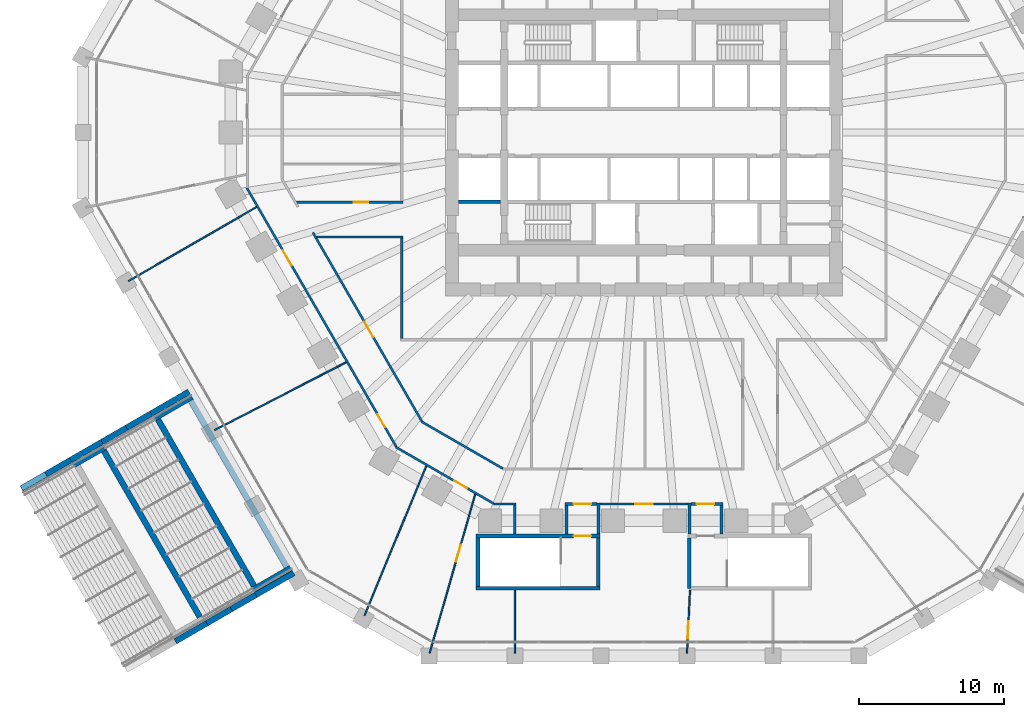
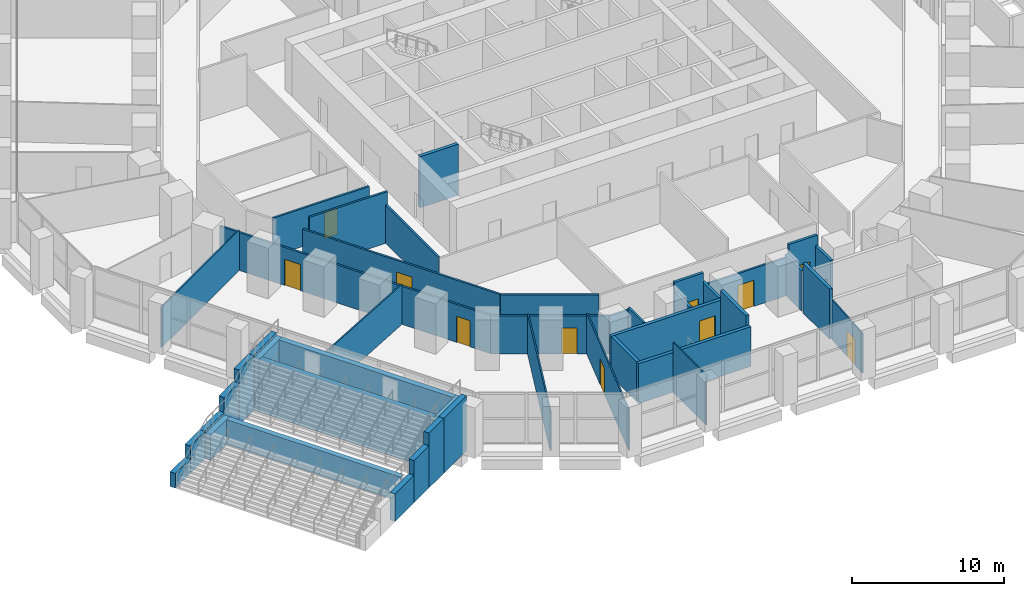
# One storey, part 19 of 38: 44 walls, 11 doors, 11 openings.
"""IFC4 building model written with IfcOpenShell, lengths in metres."""

from ifc_helpers import new_model, si_unit, direction, frame, frame_2d, origin, place, context, subcontext, project, spatial, rectangle, extrude, material, layer, layer_set, type_object, element, fill, save


model = new_model("IFC4")

# Units and contexts
model_context = context("Model", 3, precision=1e-05, world=origin(), true_north=direction((0.0, 1.0)))
body_context = subcontext(model_context, "Body", "Model", "MODEL_VIEW")
ifc_project = project(units=[si_unit("LENGTHUNIT", "METRE"), si_unit("AREAUNIT", "SQUARE_METRE"), si_unit("VOLUMEUNIT", "CUBIC_METRE"), si_unit("PLANEANGLEUNIT", "RADIAN"), si_unit("MASSUNIT", "GRAM", prefix="KILO")], contexts=[model_context])

# Site, building, storey
site_placement = place(None, origin())
site = spatial("IfcSite", under=ifc_project, at=site_placement, CompositionType="ELEMENT")
building_placement = place(site_placement, origin())
building = spatial("IfcBuilding", under=site, at=building_placement, Name="Frailejon Research Tower", CompositionType="ELEMENT")
storey_placement = place(building_placement, frame((0.0, 0.0, 10.199951171875)))
storey = spatial("IfcBuildingStorey", under=building, at=storey_placement, Name="L02", CompositionType="ELEMENT", Elevation=10.199951171875)

# Wall
ifc_material_1 = material(Name="Gypsum board and masonry partition", Category="masonry")
ifc_layer_1 = layer(ifc_material_1, 0.14990234375)
ifc_layer_set_1 = layer_set([ifc_layer_1], Name="Corridor wall EI 60, gypsum on steel studs 150")
wall_type_1 = type_object("IfcWallType", Name="Corridor wall EI 60, gypsum on steel studs 150", PredefinedType="PARTITIONING", material=ifc_layer_set_1)
wall_1_placement = place(storey_placement, frame((-8.870849609375, -27.625, 0.0), z_axis=(0.0, 0.0, 1.0), x_axis=(0.0, 1.0, 0.0)))
element("IfcWall", 1, at=wall_1_placement, inside=storey, type_object=wall_type_1, Name="T:IW:L02:018", PredefinedType="PARTITIONING", context=body_context, shape_type="SweptSolid", body=[
    extrude(rectangle(XDim=2.0, YDim=0.14990234375, at=frame_2d((1.0, 0.0))), origin(), (0.0, 0.0, 1.0), 3.25),
])

# Wall, opening, door
wall_2_placement = place(storey_placement, frame((-22.75341796875, -6.889892578125, 0.0), z_axis=(0.0, 0.0, 1.0), x_axis=(0.499997859304, -0.866026639712, 0.0)))
wall_2 = element("IfcWall", 2, at=wall_2_placement, inside=storey, type_object=wall_type_1, Name="T:IW:L02:026", PredefinedType="PARTITIONING", context=body_context, shape_type="SweptSolid", body=[
    extrude(rectangle(XDim=14.96337890625, YDim=0.14990234375, at=frame_2d((7.481689453125, 0.0))), origin(), (0.0, 0.0, 1.0), 3.050048828125),
])
opening_1_placement = place(wall_2_placement, frame((7.09814453125, 0.0, 0.0)))
opening_1 = element("IfcOpeningElement", 3, at=opening_1_placement, cuts=wall_2, Name="Opening D1084", PredefinedType="OPENING", context=body_context, shape_type="SweptSolid", body=[
    extrude(rectangle(XDim=1.199951171875, YDim=2.10009765625, at=frame_2d((0.60009765625, 1.050048828125))), frame((0.0, 0.0849609375, 0.0), z_axis=(0.0, -1.0, 0.0), x_axis=(1.0, 0.0, 0.0)), (0.0, 0.0, 1.0), 0.169921875),
])
ifc_material_2 = material(Name="Timber door leaf", Category="wood")
door_type_1 = type_object("IfcDoorType", Name="Door laboratory, timber, vision panel 1200", OperationType="NOTDEFINED", PredefinedType="DOOR", material=ifc_material_2)
door_1_placement = place(opening_1_placement, origin())
door_1 = element("IfcDoor", 4, at=door_1_placement, inside=storey, type_object=door_type_1, Name="D1084", OperationType="DOUBLE_DOOR_SINGLE_SWING", OverallHeight=2.10009765625, OverallWidth=1.199951171875, PredefinedType="DOOR", context=body_context, shape_type="SweptSolid", body=[
    extrude(rectangle(XDim=1.199951171875, YDim=2.10009765625, at=frame_2d((0.60009765625, 1.050048828125))), frame((0.0, 0.02490234375, 0.0), z_axis=(0.0, -1.0, 0.0), x_axis=(1.0, 0.0, 0.0)), (0.0, 0.0, 1.0), 0.050048828125),
])
fill(opening_1, door_1)

# Wall, openings, doors
wall_3_placement = place(storey_placement, frame((-27.30029296875, -3.814453125, 0.0), z_axis=(0.0, 0.0, 1.0), x_axis=(0.499997805905, -0.866026670542, 0.0)))
wall_3 = element("IfcWall", 5, at=wall_3_placement, inside=storey, type_object=wall_type_1, Name="T:IW:L02:027", PredefinedType="PARTITIONING", context=body_context, shape_type="SweptSolid", body=[
    extrude(rectangle(XDim=20.54345703125, YDim=0.14990234375, at=frame_2d((10.271728515625, 0.0))), origin(), (0.0, 0.0, 1.0), 3.050048828125),
])
opening_2_placement = place(wall_3_placement, frame((4.954345703125, 0.0, 0.0)))
opening_2 = element("IfcOpeningElement", 6, at=opening_2_placement, cuts=wall_3, Name="Opening D1082", PredefinedType="OPENING", context=body_context, shape_type="SweptSolid", body=[
    extrude(rectangle(XDim=1.199951171875, YDim=2.10009765625, at=frame_2d((0.60009765625, 1.050048828125))), frame((0.0, 0.0849609375, 0.0), z_axis=(0.0, -1.0, 0.0), x_axis=(1.0, 0.0, 0.0)), (0.0, 0.0, 1.0), 0.169921875),
])
opening_3_placement = place(wall_3_placement, frame((17.98974609375, 0.0, 0.0)))
opening_3 = element("IfcOpeningElement", 7, at=opening_3_placement, cuts=wall_3, Name="Opening D1083", PredefinedType="OPENING", context=body_context, shape_type="SweptSolid", body=[
    extrude(rectangle(XDim=1.0, YDim=2.10009765625, at=frame_2d((0.5, 1.050048828125))), frame((0.0, 0.0849609375, 0.0), z_axis=(0.0, -1.0, 0.0), x_axis=(1.0, 0.0, 0.0)), (0.0, 0.0, 1.0), 0.169921875),
])
ifc_material_3 = material(Name="Timber door leaf", Category="wood")
door_type_2 = type_object("IfcDoorType", Name="Door single leaf, timber, steel frame 1000", OperationType="NOTDEFINED", PredefinedType="DOOR", material=ifc_material_3)
door_2_placement = place(opening_3_placement, origin())
door_2 = element("IfcDoor", 8, at=door_2_placement, inside=storey, type_object=door_type_2, Name="D1083", OperationType="SINGLE_SWING_RIGHT", OverallHeight=2.10009765625, OverallWidth=1.0, PredefinedType="DOOR", context=body_context, shape_type="SweptSolid", body=[
    extrude(rectangle(XDim=1.0, YDim=2.10009765625, at=frame_2d((0.5, 1.050048828125))), frame((0.0, 0.02490234375, 0.0), z_axis=(0.0, -1.0, 0.0), x_axis=(1.0, 0.0, 0.0)), (0.0, 0.0, 1.0), 0.050048828125),
])
fill(opening_3, door_2)
ifc_material_4 = material(Name="Timber door leaf", Category="wood")
door_type_3 = type_object("IfcDoorType", Name="Door single leaf, timber, steel frame 1200", OperationType="NOTDEFINED", PredefinedType="DOOR", material=ifc_material_4)
door_3_placement = place(opening_2_placement, origin())
door_3 = element("IfcDoor", 9, at=door_3_placement, inside=storey, type_object=door_type_3, Name="D1082", OperationType="DOUBLE_DOOR_SINGLE_SWING", OverallHeight=2.10009765625, OverallWidth=1.199951171875, PredefinedType="DOOR", context=body_context, shape_type="SweptSolid", body=[
    extrude(rectangle(XDim=1.199951171875, YDim=2.10009765625, at=frame_2d((0.60009765625, 1.050048828125))), frame((0.0, 0.02490234375, 0.0), z_axis=(0.0, -1.0, 0.0), x_axis=(1.0, 0.0, 0.0)), (0.0, 0.0, 1.0), 0.050048828125),
])
fill(opening_2, door_3)

# Wall, opening, door
wall_4_placement = place(storey_placement, frame((-17.055908203125, -21.633056640625, 0.0), z_axis=(0.0, 0.0, 1.0), x_axis=(0.866023143435, -0.50000391502, 0.0)))
wall_4 = element("IfcWall", 10, at=wall_4_placement, inside=storey, type_object=wall_type_1, Name="T:IW:L02:028", PredefinedType="PARTITIONING", context=body_context, shape_type="SweptSolid", body=[
    extrude(rectangle(XDim=7.7587890625, YDim=0.14990234375, at=frame_2d((3.87939453125, 0.0))), origin(), (0.0, 0.0, 1.0), 3.050048828125),
])
opening_4_placement = place(wall_4_placement, frame((4.656982421875, 0.0, 0.0)))
opening_4 = element("IfcOpeningElement", 11, at=opening_4_placement, cuts=wall_4, Name="Opening D1085", PredefinedType="OPENING", context=body_context, shape_type="SweptSolid", body=[
    extrude(rectangle(XDim=1.0, YDim=2.10009765625, at=frame_2d((0.5, 1.050048828125))), frame((0.0, 0.0849609375, 0.0), z_axis=(0.0, -1.0, 0.0), x_axis=(1.0, 0.0, 0.0)), (0.0, 0.0, 1.0), 0.169921875),
])
door_4_placement = place(opening_4_placement, origin())
door_4 = element("IfcDoor", 12, at=door_4_placement, inside=storey, type_object=door_type_2, Name="D1085", OperationType="SINGLE_SWING_RIGHT", OverallHeight=2.10009765625, OverallWidth=1.0, PredefinedType="DOOR", context=body_context, shape_type="SweptSolid", body=[
    extrude(rectangle(XDim=1.0, YDim=2.10009765625, at=frame_2d((0.5, 1.050048828125))), frame((0.0, 0.02490234375, 0.0), z_axis=(0.0, -1.0, 0.0), x_axis=(1.0, 0.0, 0.0)), (0.0, 0.0, 1.0), 0.050048828125),
])
fill(opening_4, door_4)

# Walls
wall_5_placement = place(storey_placement, frame((-15.299072265625, -19.876220703125, 0.0), z_axis=(0.0, 0.0, 1.0), x_axis=(0.866024786089, -0.500001069878, 0.0)))
element("IfcWall", 13, at=wall_5_placement, inside=storey, type_object=wall_type_1, Name="T:IW:L02:029", PredefinedType="PARTITIONING", context=body_context, shape_type="SweptSolid", body=[
    extrude(rectangle(XDim=6.47265625, YDim=0.14990234375, at=frame_2d((3.236328125, 0.0))), origin(), (0.0, 0.0, 1.0), 3.050048828125),
])
wall_6_placement = place(storey_placement, frame((-10.3466796875, -25.550048828125, 0.0), z_axis=(0.0, 0.0, 1.0), x_axis=(1.0, 0.0, 0.0)))
element("IfcWall", 14, at=wall_6_placement, inside=storey, type_object=wall_type_1, Name="T:IW:L02:031", PredefinedType="PARTITIONING", context=body_context, shape_type="SweptSolid", body=[
    extrude(rectangle(XDim=1.55078125, YDim=0.14990234375, at=frame_2d((0.775390625, 0.0))), origin(), (0.0, 0.0, 1.0), 3.050048828125),
])

# Wall, opening, door
wall_7_placement = place(storey_placement, frame((-3.031982421875, -25.550048828125, 0.0), z_axis=(0.0, 0.0, 1.0), x_axis=(1.0, 0.0, 0.0)))
wall_7 = element("IfcWall", 15, at=wall_7_placement, inside=storey, type_object=wall_type_1, Name="T:IW:L02:032", PredefinedType="PARTITIONING", context=body_context, shape_type="SweptSolid", body=[
    extrude(rectangle(XDim=6.06396484375, YDim=0.14990234375, at=frame_2d((3.031982421875, 0.0))), origin(), (0.0, 0.0, 1.0), 3.050048828125),
])
opening_5_placement = place(wall_7_placement, frame((2.431884765625, 0.0, 0.0)))
opening_5 = element("IfcOpeningElement", 16, at=opening_5_placement, cuts=wall_7, Name="Opening D1088", PredefinedType="OPENING", context=body_context, shape_type="SweptSolid", body=[
    extrude(rectangle(XDim=1.199951171875, YDim=2.10009765625, at=frame_2d((0.60009765625, 1.050048828125))), frame((0.0, 0.0849609375, 0.0), z_axis=(0.0, -1.0, 0.0), x_axis=(1.0, 0.0, 0.0)), (0.0, 0.0, 1.0), 0.169921875),
])
door_5_placement = place(opening_5_placement, origin())
door_5 = element("IfcDoor", 17, at=door_5_placement, inside=storey, type_object=door_type_3, Name="D1088", OperationType="DOUBLE_DOOR_SINGLE_SWING", OverallHeight=2.10009765625, OverallWidth=1.199951171875, PredefinedType="DOOR", context=body_context, shape_type="SweptSolid", body=[
    extrude(rectangle(XDim=1.199951171875, YDim=2.10009765625, at=frame_2d((0.60009765625, 1.050048828125))), frame((0.0, 0.02490234375, 0.0), z_axis=(0.0, -1.0, 0.0), x_axis=(1.0, 0.0, 0.0)), (0.0, 0.0, 1.0), 0.050048828125),
])
fill(opening_5, door_5)

# Wall
wall_8_placement = place(storey_placement, frame((-16.64990234375, -14.175048828125, 0.0), z_axis=(0.0, 0.0, 1.0), x_axis=(0.0, 1.0, 0.0)))
element("IfcWall", 18, at=wall_8_placement, inside=storey, type_object=wall_type_1, Name="T:IW:L02:045", PredefinedType="PARTITIONING", context=body_context, shape_type="SweptSolid", body=[
    extrude(rectangle(XDim=6.900146484375, YDim=0.14990234375, at=frame_2d((3.4501953125, 0.0))), origin(), (0.0, 0.0, 1.0), 3.050048828125),
])

# Wall, opening, door
wall_9_placement = place(storey_placement, frame((-23.885009765625, -4.800048828125, 0.0), z_axis=(0.0, 0.0, 1.0), x_axis=(1.0, 0.0, 0.0)))
wall_9 = element("IfcWall", 19, at=wall_9_placement, inside=storey, type_object=wall_type_1, Name="T:IW:L02:049", PredefinedType="PARTITIONING", context=body_context, shape_type="SweptSolid", body=[
    extrude(rectangle(XDim=7.31005859375, YDim=0.14990234375, at=frame_2d((3.655029296875, 0.0))), origin(), (0.0, 0.0, 1.0), 3.050048828125),
])
opening_6_placement = place(wall_9_placement, frame((3.92138671875, 0.0, 0.0)))
opening_6 = element("IfcOpeningElement", 20, at=opening_6_placement, cuts=wall_9, Name="Opening D1080", PredefinedType="OPENING", context=body_context, shape_type="SweptSolid", body=[
    extrude(rectangle(XDim=1.0, YDim=2.10009765625, at=frame_2d((0.5, 1.050048828125))), frame((0.0, 0.0849609375, 0.0), z_axis=(0.0, -1.0, 0.0), x_axis=(1.0, 0.0, 0.0)), (0.0, 0.0, 1.0), 0.169921875),
])
door_6_placement = place(opening_6_placement, origin())
door_6 = element("IfcDoor", 21, at=door_6_placement, inside=storey, type_object=door_type_2, Name="D1080", OperationType="SINGLE_SWING_RIGHT", OverallHeight=2.10009765625, OverallWidth=1.0, PredefinedType="DOOR", context=body_context, shape_type="SweptSolid", body=[
    extrude(rectangle(XDim=1.0, YDim=2.10009765625, at=frame_2d((0.5, 1.050048828125))), frame((0.0, 0.02490234375, 0.0), z_axis=(0.0, -1.0, 0.0), x_axis=(1.0, 0.0, 0.0)), (0.0, 0.0, 1.0), 0.050048828125),
])
fill(opening_6, door_6)

# Walls
wall_10_placement = place(storey_placement, frame((-22.49951171875, -7.199951171875, 0.0), z_axis=(0.0, 0.0, 1.0), x_axis=(1.0, 0.0, 0.0)))
element("IfcWall", 22, at=wall_10_placement, inside=storey, type_object=wall_type_1, Name="T:IW:L02:050", PredefinedType="PARTITIONING", context=body_context, shape_type="SweptSolid", body=[
    extrude(rectangle(XDim=5.924560546875, YDim=0.14990234375, at=frame_2d((2.96240234375, 0.0))), origin(), (0.0, 0.0, 1.0), 4.10009765625),
])
ifc_material_5 = material(Name="Gypsum board and masonry partition", Category="masonry")
ifc_layer_2 = layer(ifc_material_5, 0.199951171875)
ifc_layer_set_2 = layer_set([ifc_layer_2], Name="Enclosure wall EI 120, blockwork 200")
wall_type_2 = type_object("IfcWallType", Name="Enclosure wall EI 120, blockwork 200", PredefinedType="PARTITIONING", material=ifc_layer_set_2)
for number, where, z_axis, x_axis, name in (
    (23, (-5.33203125, -27.625, 0.0), (0.0, 0.0, 1.0), (0.0, 1.0, 0.0), "T:IW:L02:053"),
    (24, (5.33203125, -27.625, 0.0), (0.0, 0.0, 1.0), (0.0, 1.0, 0.0), "T:IW:L02:057"),
):
    element("IfcWall", number, at=place(storey_placement, frame(where, z_axis=z_axis, x_axis=x_axis)), inside=storey, type_object=wall_type_2, Name=name, PredefinedType="PARTITIONING", context=body_context, shape_type="SweptSolid", body=[
        extrude(rectangle(XDim=1.97509765625, YDim=0.199951171875, at=frame_2d((0.987548828125, 0.0))), origin(), (0.0, 0.0, 1.0), 3.25),
    ])

# Wall, opening, door
wall_11_placement = place(storey_placement, frame((-5.431884765625, -25.5498046875, 0.0), z_axis=(0.0, 0.0, 1.0), x_axis=(1.0, 0.0, 0.0)))
wall_11 = element("IfcWall", 25, at=wall_11_placement, inside=storey, type_object=wall_type_2, Name="T:IW:L02:059", PredefinedType="PARTITIONING", context=body_context, shape_type="SweptSolid", body=[
    extrude(rectangle(XDim=2.199951171875, YDim=0.199951171875, at=frame_2d((1.10009765625, 0.0))), origin(), (0.0, 0.0, 1.0), 4.050048828125),
])
opening_7_placement = place(wall_11_placement, frame((1.800048828125, 0.0, 0.0), z_axis=(0.0, 0.0, 1.0), x_axis=(-1.0, 0.0, 0.0)))
opening_7 = element("IfcOpeningElement", 26, at=opening_7_placement, cuts=wall_11, Name="Opening PSD30", PredefinedType="OPENING", context=body_context, shape_type="SweptSolid", body=[
    extrude(rectangle(XDim=1.199951171875, YDim=2.10009765625, at=frame_2d((0.60009765625, 1.050048828125))), frame((0.0, 0.10986328125, 0.0), z_axis=(0.0, -1.0, 0.0), x_axis=(1.0, 0.0, 0.0)), (0.0, 0.0, 1.0), 0.219970703125),
])
ifc_material_6 = material(Name="Steel door leaf", Category="steel")
door_type_4 = type_object("IfcDoorType", Name="Door exit passage, steel, fire rated 1200", OperationType="NOTDEFINED", PredefinedType="DOOR", material=ifc_material_6)
door_7_placement = place(opening_7_placement, origin())
door_7 = element("IfcDoor", 27, at=door_7_placement, inside=storey, type_object=door_type_4, Name="PSD30", OperationType="SINGLE_SWING_LEFT", OverallHeight=2.10009765625, OverallWidth=1.199951171875, PredefinedType="DOOR", context=body_context, shape_type="SweptSolid", body=[
    extrude(rectangle(XDim=1.199951171875, YDim=2.10009765625, at=frame_2d((0.60009765625, 1.050048828125))), frame((0.0, 0.02490234375, 0.0), z_axis=(0.0, -1.0, 0.0), x_axis=(1.0, 0.0, 0.0)), (0.0, 0.0, 1.0), 0.050048828125),
])
fill(opening_7, door_7)

wall_12_placement = place(storey_placement, frame((3.23193359375, -25.5498046875, 0.0), z_axis=(0.0, 0.0, 1.0), x_axis=(1.0, 0.0, 0.0)))
wall_12 = element("IfcWall", 28, at=wall_12_placement, inside=storey, type_object=wall_type_2, Name="T:IW:L02:060", PredefinedType="PARTITIONING", context=body_context, shape_type="SweptSolid", body=[
    extrude(rectangle(XDim=2.199951171875, YDim=0.199951171875, at=frame_2d((1.10009765625, 0.0))), origin(), (0.0, 0.0, 1.0), 4.050048828125),
])
opening_8_placement = place(wall_12_placement, frame((1.599853515625, 0.0, 0.0), z_axis=(0.0, 0.0, 1.0), x_axis=(-1.0, 0.0, 0.0)))
opening_8 = element("IfcOpeningElement", 29, at=opening_8_placement, cuts=wall_12, Name="Opening PSD32", PredefinedType="OPENING", context=body_context, shape_type="SweptSolid", body=[
    extrude(rectangle(XDim=1.199951171875, YDim=2.10009765625, at=frame_2d((0.60009765625, 1.050048828125))), frame((0.0, 0.10986328125, 0.0), z_axis=(0.0, -1.0, 0.0), x_axis=(1.0, 0.0, 0.0)), (0.0, 0.0, 1.0), 0.219970703125),
])
door_8_placement = place(opening_8_placement, origin())
door_8 = element("IfcDoor", 30, at=door_8_placement, inside=storey, type_object=door_type_4, Name="PSD32", OperationType="SINGLE_SWING_LEFT", OverallHeight=2.10009765625, OverallWidth=1.199951171875, PredefinedType="DOOR", context=body_context, shape_type="SweptSolid", body=[
    extrude(rectangle(XDim=1.199951171875, YDim=2.10009765625, at=frame_2d((0.60009765625, 1.050048828125))), frame((0.0, 0.02490234375, 0.0), z_axis=(0.0, -1.0, 0.0), x_axis=(1.0, 0.0, 0.0)), (0.0, 0.0, 1.0), 0.050048828125),
])
fill(opening_8, door_8)

# Walls
for number, where, z_axis, x_axis, name in (
    (31, (-3.132080078125, -27.625, 0.0), (0.0, 0.0, 1.0), (0.0, 1.0, 0.0), "T:IW:L02:063"),
    (32, (3.132080078125, -27.625, 0.0), (0.0, 0.0, 1.0), (0.0, 1.0, 0.0), "T:IW:L02:065"),
):
    element("IfcWall", number, at=place(storey_placement, frame(where, z_axis=z_axis, x_axis=x_axis)), inside=storey, type_object=wall_type_2, Name=name, PredefinedType="PARTITIONING", context=body_context, shape_type="SweptSolid", body=[
        extrude(rectangle(XDim=2.14990234375, YDim=0.199951171875, at=frame_2d((1.074951171875, 0.0))), origin(), (0.0, 0.0, 1.0), 3.25),
    ])
ifc_material_7 = material(Name="Gypsum board and masonry partition", Category="masonry")
ifc_layer_3 = layer(ifc_material_7, 0.10009765625)
ifc_layer_set_3 = layer_set([ifc_layer_3], Name="Partition, gypsum on steel studs 100")
wall_type_3 = type_object("IfcWallType", Name="Partition, gypsum on steel studs 100", PredefinedType="PARTITIONING", material=ifc_layer_set_3)
wall_13_placement = place(storey_placement, frame((-8.870849609375, -35.800048828125, 0.0), z_axis=(0.0, 0.0, 1.0), x_axis=(0.0, 1.0, 0.0)))
element("IfcWall", 33, at=wall_13_placement, inside=storey, type_object=wall_type_3, Name="T:IW:L02:087", PredefinedType="PARTITIONING", context=body_context, shape_type="SweptSolid", body=[
    extrude(rectangle(XDim=4.324951171875, YDim=0.10009765625, at=frame_2d((2.16259765625, 0.0))), origin(), (0.0, 0.0, 1.0), 4.0),
])
wall_14_placement = place(storey_placement, frame((-35.439208984375, -10.2177734375, 0.0), z_axis=(0.0, 0.0, 1.0), x_axis=(0.86602416344, 0.500002148333, 0.0)))
element("IfcWall", 34, at=wall_14_placement, inside=storey, type_object=wall_type_3, Name="T:IW:L02:098", PredefinedType="PARTITIONING", context=body_context, shape_type="SweptSolid", body=[
    extrude(rectangle(XDim=10.17529296875, YDim=0.10009765625, at=frame_2d((5.087646484375, 0.0))), origin(), (0.0, 0.0, 1.0), 3.25),
])
wall_15_placement = place(storey_placement, frame((-29.5205078125, -20.468994140625, 0.0), z_axis=(0.0, 0.0, 1.0), x_axis=(0.888930498325, 0.458042104122, 0.0)))
element("IfcWall", 35, at=wall_15_placement, inside=storey, type_object=wall_type_3, Name="T:IW:L02:099", PredefinedType="PARTITIONING", context=body_context, shape_type="SweptSolid", body=[
    extrude(rectangle(XDim=10.186767578125, YDim=0.10009765625, at=frame_2d((5.09326171875, 0.0))), origin(), (0.0, 0.0, 1.0), 3.199951171875),
])
wall_16_placement = place(storey_placement, frame((-19.20751953125, -33.215576171875, 0.0), z_axis=(0.0, 0.0, 1.0), x_axis=(0.38176137663, 0.924260921663, 0.0)))
element("IfcWall", 36, at=wall_16_placement, inside=storey, type_object=wall_type_3, Name="T:IW:L02:100", PredefinedType="PARTITIONING", context=body_context, shape_type="SweptSolid", body=[
    extrude(rectangle(XDim=11.128662109375, YDim=0.10009765625, at=frame_2d((5.564453125, 0.0))), origin(), (0.0, 0.0, 1.0), 3.199951171875),
])

# Wall, opening, door
wall_17_placement = place(storey_placement, frame((-14.727294921875, -35.800048828125, 0.0), z_axis=(0.0, 0.0, 1.0), x_axis=(0.27581573325, 0.96121052912, 0.0)))
wall_17 = element("IfcWall", 37, at=wall_17_placement, inside=storey, type_object=wall_type_3, Name="T:IW:L02:101", PredefinedType="PARTITIONING", context=body_context, shape_type="SweptSolid", body=[
    extrude(rectangle(XDim=11.368896484375, YDim=0.10009765625, at=frame_2d((5.6845703125, 0.0))), origin(), (0.0, 0.0, 1.0), 3.25),
])
opening_9_placement = place(wall_17_placement, frame((6.553466796875, 0.0, 0.0)))
opening_9 = element("IfcOpeningElement", 38, at=opening_9_placement, cuts=wall_17, Name="Opening D1086", PredefinedType="OPENING", context=body_context, shape_type="SweptSolid", body=[
    extrude(rectangle(XDim=1.199951171875, YDim=2.10009765625, at=frame_2d((0.60009765625, 1.050048828125))), frame((0.0, 0.06005859375, 0.0), z_axis=(0.0, -1.0, 0.0), x_axis=(1.0, 0.0, 0.0)), (0.0, 0.0, 1.0), 0.1201171875),
])
door_9_placement = place(opening_9_placement, origin())
door_9 = element("IfcDoor", 39, at=door_9_placement, inside=storey, type_object=door_type_3, Name="D1086", OperationType="DOUBLE_DOOR_SINGLE_SWING", OverallHeight=2.10009765625, OverallWidth=1.199951171875, PredefinedType="DOOR", context=body_context, shape_type="SweptSolid", body=[
    extrude(rectangle(XDim=1.199951171875, YDim=2.10009765625, at=frame_2d((0.60009765625, 1.050048828125))), frame((0.0, 0.02490234375, 0.0), z_axis=(0.0, -1.0, 0.0), x_axis=(1.0, 0.0, 0.0)), (0.0, 0.0, 1.0), 0.050048828125),
])
fill(opening_9, door_9)

wall_18_placement = place(storey_placement, frame((2.966552734375, -35.800048828125, 0.0), z_axis=(0.0, 0.0, 1.0), x_axis=(0.047755341285, 0.998859062821, 0.0)))
wall_18 = element("IfcWall", 40, at=wall_18_placement, inside=storey, type_object=wall_type_3, Name="T:IW:L02:102", PredefinedType="PARTITIONING", context=body_context, shape_type="SweptSolid", body=[
    extrude(rectangle(XDim=4.330078125, YDim=0.10009765625, at=frame_2d((2.1650390625, 0.0))), origin(), (0.0, 0.0, 1.0), 3.199951171875),
])
opening_10_placement = place(wall_18_placement, frame((0.98876953125, 0.0, 0.0)))
opening_10 = element("IfcOpeningElement", 41, at=opening_10_placement, cuts=wall_18, Name="Opening D1090", PredefinedType="OPENING", context=body_context, shape_type="SweptSolid", body=[
    extrude(rectangle(XDim=1.199951171875, YDim=2.10009765625, at=frame_2d((0.60009765625, 1.050048828125))), frame((0.0, 0.06005859375, 0.0), z_axis=(0.0, -1.0, 0.0), x_axis=(1.0, 0.0, 0.0)), (0.0, 0.0, 1.0), 0.1201171875),
])
door_10_placement = place(opening_10_placement, origin())
door_10 = element("IfcDoor", 42, at=door_10_placement, inside=storey, type_object=door_type_3, Name="D1090", OperationType="DOUBLE_DOOR_SINGLE_SWING", OverallHeight=2.10009765625, OverallWidth=1.199951171875, PredefinedType="DOOR", context=body_context, shape_type="SweptSolid", body=[
    extrude(rectangle(XDim=1.199951171875, YDim=2.10009765625, at=frame_2d((0.60009765625, 1.050048828125))), frame((0.0, 0.02490234375, 0.0), z_axis=(0.0, -1.0, 0.0), x_axis=(1.0, 0.0, 0.0)), (0.0, 0.0, 1.0), 0.050048828125),
])
fill(opening_10, door_10)

# Walls
ifc_material_8 = material(Name="Concrete C70/85", Category="concrete")
ifc_layer_4 = layer(ifc_material_8, 0.25)
ifc_layer_set_4 = layer_set([ifc_layer_4], Name="Shaft wall 250 C70/85")
wall_type_4 = type_object("IfcWallType", Name="Shaft wall 250 C70/85", PredefinedType="SOLIDWALL", material=ifc_layer_set_4)
wall_19_placement = place(storey_placement, frame((-12.75, -4.77490234375, 0.0), z_axis=(0.0, 0.0, 1.0), x_axis=(1.0, 0.0, 0.0)))
element("IfcWall", 43, at=wall_19_placement, inside=storey, type_object=wall_type_4, Name="Shaft wall", PredefinedType="SOLIDWALL", context=body_context, shape_type="SweptSolid", body=[
    extrude(rectangle(XDim=2.89990234375, YDim=0.25, at=frame_2d((1.449951171875, 0.0))), origin(), (0.0, 0.0, 1.0), 4.10009765625),
])
ifc_material_9 = material(Name="Concrete C50/60", Category="concrete")
ifc_layer_5 = layer(ifc_material_9, 0.25)
ifc_layer_set_5 = layer_set([ifc_layer_5], Name="Stair enclosure wall EI 120, Concrete C50/60 250")
wall_type_5 = type_object("IfcWallType", Name="Stair enclosure wall EI 120, Concrete C50/60 250", PredefinedType="SOLIDWALL", material=ifc_layer_set_5)
wall_20_placement = place(storey_placement, frame((-11.40185546875, -31.22509765625, 0.0), z_axis=(0.0, 0.0, 1.0), x_axis=(0.0, 1.0, 0.0)))
element("IfcWall", 44, at=wall_20_placement, inside=storey, type_object=wall_type_5, Name="T:IW:L02:108", PredefinedType="SOLIDWALL", context=body_context, shape_type="SweptSolid", body=[
    extrude(rectangle(XDim=3.35009765625, YDim=0.25, at=frame_2d((1.675048828125, 0.0))), origin(), (0.0, 0.0, 1.0), 3.199951171875),
])
wall_21_placement = place(storey_placement, frame((-3.132080078125, -31.22509765625, 0.0), z_axis=(0.0, 0.0, 1.0), x_axis=(0.0, 1.0, 0.0)))
element("IfcWall", 45, at=wall_21_placement, inside=storey, type_object=wall_type_5, Name="T:IW:L02:112", PredefinedType="SOLIDWALL", context=body_context, shape_type="SweptSolid", body=[
    extrude(rectangle(XDim=3.35009765625, YDim=0.25, at=frame_2d((1.675048828125, 0.0))), origin(), (0.0, 0.0, 1.0), 4.0),
])
wall_22_placement = place(storey_placement, frame((3.132080078125, -31.35009765625, 0.0), z_axis=(0.0, 0.0, 1.0), x_axis=(0.0, 1.0, 0.0)))
element("IfcWall", 46, at=wall_22_placement, inside=storey, type_object=wall_type_5, Name="T:IW:L02:116", PredefinedType="SOLIDWALL", context=body_context, shape_type="SweptSolid", body=[
    extrude(rectangle(XDim=3.47509765625, YDim=0.25, at=frame_2d((1.737548828125, 0.0))), origin(), (0.0, 0.0, 1.0), 4.0),
])

# Wall, opening, door
wall_23_placement = place(storey_placement, frame((-11.52685546875, -27.75, 0.0), z_axis=(0.0, 0.0, 1.0), x_axis=(1.0, 0.0, 0.0)))
wall_23 = element("IfcWall", 47, at=wall_23_placement, inside=storey, type_object=wall_type_5, Name="T:IW:L02:120", PredefinedType="SOLIDWALL", context=body_context, shape_type="SweptSolid", body=[
    extrude(rectangle(XDim=8.494873046875, YDim=0.25, at=frame_2d((4.24755859375, 0.0))), origin(), (0.0, 0.0, 1.0), 3.199951171875),
])
opening_11_placement = place(wall_23_placement, frame((7.89501953125, 0.0, 0.0), z_axis=(0.0, 0.0, 1.0), x_axis=(-1.0, 0.0, 0.0)))
opening_11 = element("IfcOpeningElement", 48, at=opening_11_placement, cuts=wall_23, Name="Opening PSD31", PredefinedType="OPENING", context=body_context, shape_type="SweptSolid", body=[
    extrude(rectangle(XDim=1.199951171875, YDim=2.10009765625, at=frame_2d((0.60009765625, 1.050048828125))), frame((0.0, 0.135009765625, 0.0), z_axis=(0.0, -1.0, 0.0), x_axis=(1.0, 0.0, 0.0)), (0.0, 0.0, 1.0), 0.27001953125),
])
door_11_placement = place(opening_11_placement, origin())
door_11 = element("IfcDoor", 49, at=door_11_placement, inside=storey, type_object=door_type_4, Name="PSD31", OperationType="SINGLE_SWING_RIGHT", OverallHeight=2.10009765625, OverallWidth=1.199951171875, PredefinedType="DOOR", context=body_context, shape_type="SweptSolid", body=[
    extrude(rectangle(XDim=1.199951171875, YDim=2.10009765625, at=frame_2d((0.60009765625, 1.050048828125))), frame((0.0, 0.02490234375, 0.0), z_axis=(0.0, -1.0, 0.0), x_axis=(1.0, 0.0, 0.0)), (0.0, 0.0, 1.0), 0.050048828125),
])
fill(opening_11, door_11)

# Walls
wall_24_placement = place(storey_placement, frame((-11.52685546875, -31.35009765625, 0.0), z_axis=(0.0, 0.0, 1.0), x_axis=(1.0, 0.0, 0.0)))
element("IfcWall", 50, at=wall_24_placement, inside=storey, type_object=wall_type_5, Name="T:IW:L02:122", PredefinedType="SOLIDWALL", context=body_context, shape_type="SweptSolid", body=[
    extrude(rectangle(XDim=8.519775390625, YDim=0.25, at=frame_2d((4.259765625, 0.0))), origin(), (0.0, 0.0, 1.0), 3.199951171875),
])
ifc_material_10 = material(Name="Concrete C35/45", Category="concrete")
ifc_layer_6 = layer(ifc_material_10, 0.39990234375)
ifc_layer_set_6 = layer_set([ifc_layer_6], Name="Stair plinth wall 400")
wall_type_6 = type_object("IfcWallType", Name="Stair plinth wall 400", PredefinedType="SOLIDWALL", material=ifc_layer_set_6)
for number, where, z_axis, x_axis, name in (
    (51, (-31.076904296875, -18.173095703125, 0.0), (0.0, 0.0, 1.0), (-0.866031096941, -0.499990139034, 0.0), "Broad stair W plinth"),
    (52, (-24.27685546875, -29.951171875, 0.0), (0.0, 0.0, 1.0), (-0.866031096941, -0.499990139034, 0.0), "Broad stair W plinth"),
):
    element("IfcWall", number, at=place(storey_placement, frame(where, z_axis=z_axis, x_axis=x_axis)), inside=storey, type_object=wall_type_6, Name=name, PredefinedType="SOLIDWALL", context=body_context, shape_type="SweptSolid", body=[
        extrude(rectangle(XDim=3.0, YDim=0.39990234375, at=frame_2d((1.5, 0.0))), origin(), (0.0, 0.0, 1.0), 4.199951171875),
    ])
for number, where, z_axis, x_axis, name in (
    (53, (-31.150146484375, -18.4462890625, 0.0), (0.0, 0.0, 1.0), (0.500002094529, -0.866024194504, 0.0), "Broad stair W plinth"),
    (54, (-33.40185546875, -19.746337890625, 0.0), (0.0, 0.0, 1.0), (0.500002094529, -0.866024194504, 0.0), "Broad stair W plinth"),
):
    element("IfcWall", number, at=place(storey_placement, frame(where, z_axis=z_axis, x_axis=x_axis)), inside=storey, type_object=wall_type_6, Name=name, PredefinedType="SOLIDWALL", context=body_context, shape_type="SweptSolid", body=[
        extrude(rectangle(XDim=13.2001953125, YDim=0.39990234375, at=frame_2d((6.60009765625, 0.0))), origin(), (0.0, 0.0, 1.0), 4.199951171875),
    ])
wall_25_placement = place(storey_placement, frame((-37.052490234375, -21.623291015625, 0.0), z_axis=(0.0, 0.0, 1.0), x_axis=(-0.866022959057, -0.500004234368, 0.0)))
element("IfcWall", 55, at=wall_25_placement, inside=storey, type_object=wall_type_6, Name="Broad stair W plinth", PredefinedType="SOLIDWALL", context=body_context, shape_type="SweptSolid", body=[
    extrude(rectangle(XDim=2.5, YDim=0.39990234375, at=frame_2d((1.25, 0.0))), origin(), (0.0, 0.0, 1.0), 2.0),
])
wall_26_placement = place(storey_placement, frame((-37.125732421875, -21.896484375, 0.0), z_axis=(0.0, 0.0, 1.0), x_axis=(0.500010103361, -0.866019570528, 0.0)))
element("IfcWall", 56, at=wall_26_placement, inside=storey, type_object=wall_type_6, Name="Broad stair W plinth", PredefinedType="SOLIDWALL", context=body_context, shape_type="SweptSolid", body=[
    extrude(rectangle(XDim=13.199951171875, YDim=0.39990234375, at=frame_2d((6.60009765625, 0.0))), origin(), (0.0, 0.0, 1.0), 2.0),
])
for number, where, z_axis, x_axis, name in (
    (57, (-31.27685546875, -17.826904296875, 0.0), (0.0, 0.0, 1.0), (-0.866031096941, -0.499990139034, 0.0), "Broad stair W cheek wall"),
    (58, (-24.076904296875, -30.297607421875, 0.0), (0.0, 0.0, 1.0), (-0.866031096941, -0.499990139034, 0.0), "Broad stair W cheek wall"),
):
    element("IfcWall", number, at=place(storey_placement, frame(where, z_axis=z_axis, x_axis=x_axis)), inside=storey, type_object=wall_type_6, Name=name, PredefinedType="SOLIDWALL", context=body_context, shape_type="SweptSolid", body=[
        extrude(rectangle(XDim=3.0, YDim=0.39990234375, at=frame_2d((1.5, 0.0))), origin(), (0.0, 0.0, 1.0), 4.400146484375),
    ])
for number, where, z_axis, x_axis, name in (
    (59, (-33.875, -19.326904296875, 0.0), (0.0, 0.0, 1.0), (-0.866054235095, -0.49995005938, 0.0), "Broad stair W cheek wall"),
    (60, (-26.675048828125, -31.797607421875, 0.0), (0.0, 0.0, 1.0), (-0.866000020948, -0.500043961785, 0.0), "Broad stair W cheek wall"),
):
    element("IfcWall", number, at=place(storey_placement, frame(where, z_axis=z_axis, x_axis=x_axis)), inside=storey, type_object=wall_type_6, Name=name, PredefinedType="SOLIDWALL", context=body_context, shape_type="SweptSolid", body=[
        extrude(rectangle(XDim=1.949951171875, YDim=0.39990234375, at=frame_2d((0.97509765625, 0.0))), origin(), (0.0, 0.0, 1.0), 4.400146484375),
    ])
for number, where, z_axis, x_axis, name in (
    (61, (-35.563720703125, -20.3017578125, 0.0), (0.0, 0.0, 1.0), (-0.866000020948, -0.500043961785, 0.0), "Broad stair W cheek wall"),
    (62, (-28.36376953125, -32.772705078125, 0.0), (0.0, 0.0, 1.0), (-0.866054235095, -0.49995005938, 0.0), "Broad stair W cheek wall"),
):
    element("IfcWall", number, at=place(storey_placement, frame(where, z_axis=z_axis, x_axis=x_axis)), inside=storey, type_object=wall_type_6, Name=name, PredefinedType="SOLIDWALL", context=body_context, shape_type="SweptSolid", body=[
        extrude(rectangle(XDim=1.949951171875, YDim=0.39990234375, at=frame_2d((0.97509765625, 0.0))), origin(), (0.0, 0.0, 1.0), 3.378662109375),
    ])
for number, where, z_axis, x_axis, name in (
    (63, (-37.25244140625, -21.27685546875, 0.0), (0.0, 0.0, 1.0), (-0.866022959057, -0.500004234368, 0.0), "Broad stair W cheek wall"),
    (64, (-30.052490234375, -33.74755859375, 0.0), (0.0, 0.0, 1.0), (-0.866022959057, -0.500004234368, 0.0), "Broad stair W cheek wall"),
):
    element("IfcWall", number, at=place(storey_placement, frame(where, z_axis=z_axis, x_axis=x_axis)), inside=storey, type_object=wall_type_6, Name=name, PredefinedType="SOLIDWALL", context=body_context, shape_type="SweptSolid", body=[
        extrude(rectangle(XDim=2.5, YDim=0.39990234375, at=frame_2d((1.25, 0.0))), origin(), (0.0, 0.0, 1.0), 2.199951171875),
    ])
wall_27_placement = place(storey_placement, frame((-39.41748046875, -22.52685546875, 0.0), z_axis=(0.0, 0.0, 1.0), x_axis=(-0.866054235095, -0.49995005938, 0.0)))
element("IfcWall", 65, at=wall_27_placement, inside=storey, type_object=wall_type_6, Name="Broad stair W cheek wall", PredefinedType="SOLIDWALL", context=body_context, shape_type="SweptSolid", body=[
    extrude(rectangle(XDim=1.949951171875, YDim=0.39990234375, at=frame_2d((0.97509765625, 0.0))), origin(), (0.0, 0.0, 1.0), 2.199951171875),
])
wall_28_placement = place(storey_placement, frame((-41.106201171875, -23.501708984375, 0.0), z_axis=(0.0, 0.0, 1.0), x_axis=(-0.866031321059, -0.49998975084, 0.0)))
element("IfcWall", 66, at=wall_28_placement, inside=storey, type_object=wall_type_6, Name="Broad stair W cheek wall", PredefinedType="SOLIDWALL", context=body_context, shape_type="SweptSolid", body=[
    extrude(rectangle(XDim=1.9501953125, YDim=0.39990234375, at=frame_2d((0.97509765625, 0.0))), origin(), (0.0, 0.0, 1.0), 1.1787109375),
])

save(model, "model.ifc")
